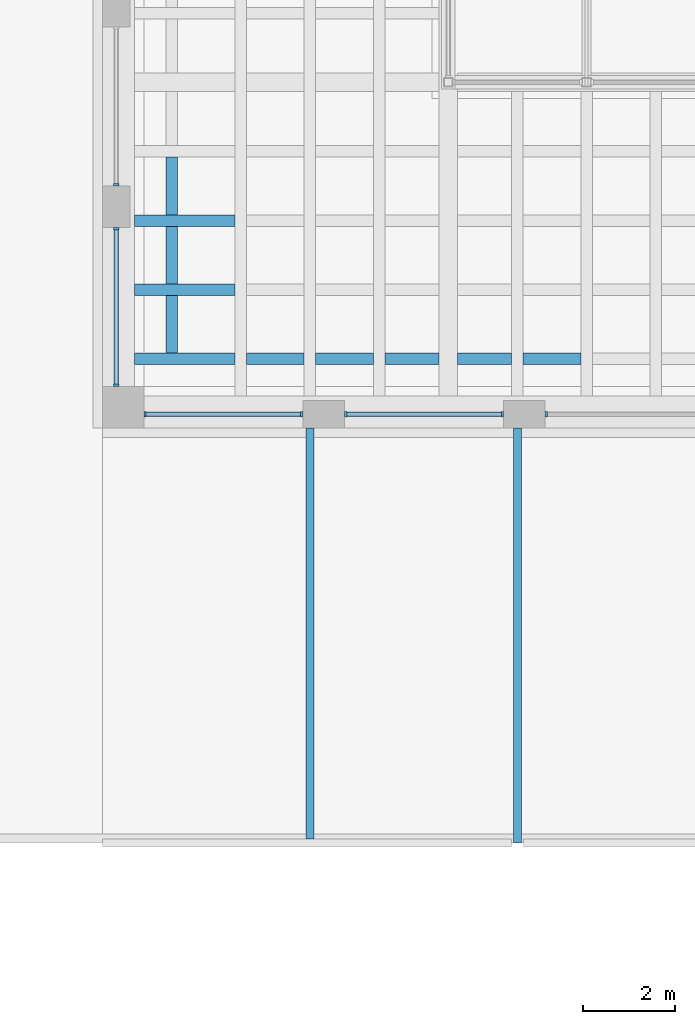
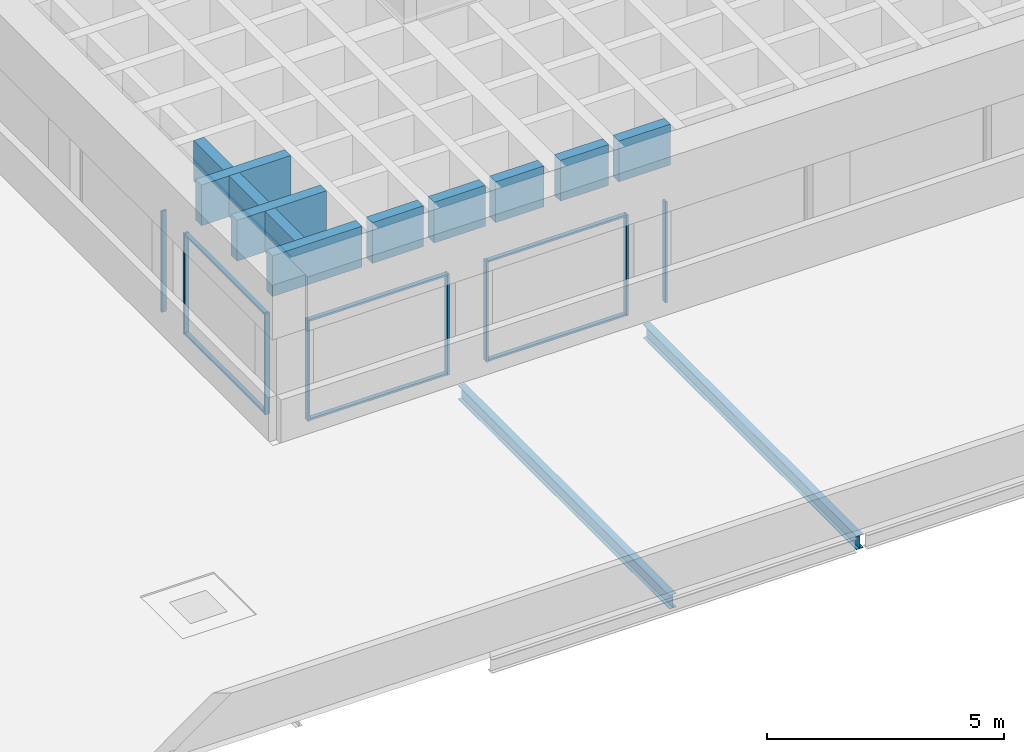
# One storey, part 12 of 50: 14 members, 13 beams, 5 elements without a shape of their own.
"""IFC4 building model written with IfcOpenShell, lengths in metres."""

import ifcopenshell
import ifcopenshell.guid

model = None  # the IFC model being written
_history = None  # IfcOwnerHistory: only IFC2X3 demands one
_inside = {}  # id of a spatial element -> (the spatial element, [elements in it])
_under = {}  # id of a project, library or spatial element -> (it, [spatial elements below it])
_declared = {}  # id of a project -> (the project, [libraries it declares])
_typed = {}  # id of a type object -> (the type object, [elements of that type])
_made_of = {}  # id of a material, layer set ... -> (it, [elements and type objects made of it])


def new_model(schema):
    """Start an empty IFC model of exactly this schema.

    Asked for "IFC4X3", IfcOpenShell would pick the latest addendum, in which some entities
    have other attributes; the version numbers below select the first issue.
    IFC2X3 requires an IfcOwnerHistory on every rooted entity: one is made here for all.
    """
    global model, _history
    if schema == "IFC4X3":
        model = ifcopenshell.file(schema_version=(4, 3, 0, 0))
    else:
        model = ifcopenshell.file(schema=schema)
    _inside.clear()
    _under.clear()
    _declared.clear()
    _typed.clear()
    _made_of.clear()
    _history = None
    if model.schema == "IFC2X3":
        org = make("IfcOrganization", Name="unknown")
        user = make(
            "IfcPersonAndOrganization",
            ThePerson=make("IfcPerson", FamilyName="unknown"),
            TheOrganization=org,
        )
        app = make(
            "IfcApplication",
            ApplicationDeveloper=org,
            Version="unknown",
            ApplicationFullName="unknown",
            ApplicationIdentifier="unknown",
        )
        _history = make(
            "IfcOwnerHistory",
            OwningUser=user,
            OwningApplication=app,
            ChangeAction="ADDED",
            CreationDate=0,
        )
    return model


def make(cls, **values):
    """One entity of the class cls with the attributes given. An attribute that is None is left unset."""
    return model.create_entity(
        cls, **{name: value for name, value in values.items() if value is not None}
    )


def rooted(cls, **values):
    """An entity with a GlobalId (a new one), such as an element, a storey or a relation."""
    return make(cls, GlobalId=ifcopenshell.guid.new(), OwnerHistory=_history, **values)


def si_unit(unit_type, name, prefix=None):
    """IfcSIUnit, for example si_unit("LENGTHUNIT", "METRE", prefix="MILLI")."""
    return make("IfcSIUnit", UnitType=unit_type, Prefix=prefix, Name=name)


def assignment(units):
    """IfcUnitAssignment: the units of a project."""
    return None if units is None else make("IfcUnitAssignment", Units=units)


def point(xyz):
    """IfcCartesianPoint."""
    return None if xyz is None else make("IfcCartesianPoint", Coordinates=xyz)


def direction(xyz):
    """IfcDirection."""
    return None if xyz is None else make("IfcDirection", DirectionRatios=xyz)


def frame(location, z_axis=None, x_axis=None):
    """IfcAxis2Placement3D, a coordinate frame: its origin and axes. An axis left out is left unset."""
    return make(
        "IfcAxis2Placement3D",
        Location=point(location),
        Axis=direction(z_axis),
        RefDirection=direction(x_axis),
    )


def frame_2d(location, x_axis=None):
    """IfcAxis2Placement2D, a coordinate frame in the plane: its origin and x axis."""
    return make(
        "IfcAxis2Placement2D", Location=point(location), RefDirection=direction(x_axis)
    )


def origin():
    """The frame at (0, 0, 0) with its axes left unset."""
    return frame((0.0, 0.0, 0.0))


def origin_2d():
    """The frame at (0, 0) in the plane with its x axis left unset."""
    return frame_2d((0.0, 0.0))


def place(relative_to, where):
    """IfcLocalPlacement: puts the frame where relative to a parent placement (None: the world)."""
    return make(
        "IfcLocalPlacement", PlacementRelTo=relative_to, RelativePlacement=where
    )


def context(
    kind, dimensions, precision=None, world=None, true_north=None, identifier=None
):
    """IfcGeometricRepresentationContext, for example the 3D "Model" context."""
    return make(
        "IfcGeometricRepresentationContext",
        ContextIdentifier=identifier,
        ContextType=kind,
        CoordinateSpaceDimension=dimensions,
        Precision=precision,
        WorldCoordinateSystem=world,
        TrueNorth=true_north,
    )


def subcontext(parent, identifier, kind, view, scale=None):
    """IfcGeometricRepresentationSubContext, for example "Body" below "Model"."""
    return make(
        "IfcGeometricRepresentationSubContext",
        ContextIdentifier=identifier,
        ContextType=kind,
        ParentContext=parent,
        TargetScale=scale,
        TargetView=view,
    )


def project(units=None, contexts=None):
    """IfcProject with its units and contexts."""
    return rooted(
        "IfcProject",
        Name="project",
        RepresentationContexts=contexts,
        UnitsInContext=assignment(units),
    )


def spatial(cls, under=None, at=None, **own):
    """A site, building, storey or space (cls), placed at a placement, below another one or the project."""
    s = rooted(cls, ObjectPlacement=at, **own)
    if under is not None:
        _under.setdefault(under.id(), (under, []))[1].append(s)
    return s


def profile(cls, at=None, kind="AREA", **sizes):
    """A parametric profile (cls). Its sizes go by their IFC names, for example OverallWidth=200.0."""
    return make(cls, ProfileType=kind, Position=at, **sizes)


def rectangle(**sizes):
    """IfcRectangleProfileDef."""
    return profile("IfcRectangleProfileDef", **sizes)


def i_section(**sizes):
    """IfcIShapeProfileDef."""
    return profile("IfcIShapeProfileDef", **sizes)


def extrude(swept, where, along, depth):
    """IfcExtrudedAreaSolid: the profile swept, set in the frame where, extruded along a direction by depth."""
    return make(
        "IfcExtrudedAreaSolid",
        SweptArea=swept,
        Position=where,
        ExtrudedDirection=direction(along),
        Depth=depth,
    )


def shape(context_of_items, identifier, shape_type, items):
    """IfcShapeRepresentation: the items that make up one representation, for example the "Body"."""
    return make(
        "IfcShapeRepresentation",
        ContextOfItems=context_of_items,
        RepresentationIdentifier=identifier,
        RepresentationType=shape_type,
        Items=items,
    )


def material(Name=None, Category=None):
    """IfcMaterial."""
    return make("IfcMaterial", Name=Name, Category=Category)


def layer(
    of_material, thickness, ventilated=None, Name=None, Category=None, Priority=None
):
    """IfcMaterialLayer: one layer of a wall or slab, of a material (None: an air gap)."""
    return make(
        "IfcMaterialLayer",
        Material=of_material,
        LayerThickness=thickness,
        IsVentilated=ventilated,
        Name=Name,
        Category=Category,
        Priority=Priority,
    )


def layer_set(layers, Name=None):
    """IfcMaterialLayerSet."""
    return make("IfcMaterialLayerSet", MaterialLayers=layers, LayerSetName=Name)


def material_profile(
    of_material, cross_section, Name=None, Category=None, Priority=None
):
    """IfcMaterialProfile: a cross section and its material."""
    return make(
        "IfcMaterialProfile",
        Name=Name,
        Material=of_material,
        Profile=cross_section,
        Priority=Priority,
        Category=Category,
    )


def profile_set(profiles, Name=None, composite=None):
    """IfcMaterialProfileSet."""
    return make(
        "IfcMaterialProfileSet",
        Name=Name,
        MaterialProfiles=profiles,
        CompositeProfile=composite,
    )


def made_of(thing, what):
    """Note that an element or type object is made of a material, layer set ...; save() writes the relation."""
    if what is not None:
        _made_of.setdefault(what.id(), (what, []))[1].append(thing)
    return thing


def type_object(cls, material=None, **own):
    """A type object (cls), such as IfcWallType, which elements share."""
    return made_of(rooted(cls, **own), material)


def element(
    cls,
    number,
    at=None,
    inside=None,
    cuts=None,
    type_object=None,
    material=None,
    context=None,
    identifier="Body",
    shape_type=None,
    held_by="IfcProductDefinitionShape",
    body=None,
    shapes=None,
    **own,
):
    """One element of the class cls, such as IfcWall. Its Tag is "e" and its number.

    at: its placement. inside: the storey or other place that contains it. cuts: it is an
    opening in that element (IfcRelVoidsElement). A single representation is given by context,
    identifier, shape_type and body (its items); several are given by shapes. held_by: the class
    of the entity that holds the representations. save() writes the other relations.
    """
    e = rooted(cls, Tag="e%d" % number, ObjectPlacement=at, **own)
    if body is not None:
        shapes = [shape(context, identifier, shape_type, body)]
    if shapes is not None:
        e.Representation = make(held_by, Representations=shapes)
    if inside is not None:
        _inside.setdefault(inside.id(), (inside, []))[1].append(e)
    if cuts is not None:
        rooted(
            "IfcRelVoidsElement", RelatingBuildingElement=cuts, RelatedOpeningElement=e
        )
    if type_object is not None:
        _typed.setdefault(type_object.id(), (type_object, []))[1].append(e)
    return made_of(e, material)


def aggregate(whole, parts):
    """IfcRelAggregates: a whole, such as a stair, and the parts it consists of."""
    return rooted("IfcRelAggregates", RelatingObject=whole, RelatedObjects=parts)


def save(model, path):
    """Write the relations noted so far, then the file.

    IfcRelAggregates (storeys below a building ...), IfcRelContainedInSpatialStructure (elements
    in a storey), IfcRelDefinesByType, IfcRelAssociatesMaterial and IfcRelDeclares: one each for
    every whole, place, type object, material and project.
    """
    for whole, parts in _under.values():
        aggregate(whole, parts)
    for where, things in _inside.values():
        rooted(
            "IfcRelContainedInSpatialStructure",
            RelatedElements=things,
            RelatingStructure=where,
        )
    for kind, things in _typed.values():
        rooted("IfcRelDefinesByType", RelatedObjects=things, RelatingType=kind)
    for what, things in _made_of.values():
        rooted("IfcRelAssociatesMaterial", RelatedObjects=things, RelatingMaterial=what)
    for by, libraries in _declared.values():
        rooted("IfcRelDeclares", RelatingContext=by, RelatedDefinitions=libraries)
    model.write(path)


model = new_model("IFC4")

# Units and contexts
model_context = context("Model", 3, precision=1e-05, world=origin(), true_north=direction((0.0, 1.0)))
body_context = subcontext(model_context, "Body", "Model", "MODEL_VIEW")
ifc_project = project(units=[si_unit("LENGTHUNIT", "METRE"), si_unit("AREAUNIT", "SQUARE_METRE"), si_unit("VOLUMEUNIT", "CUBIC_METRE"), si_unit("PLANEANGLEUNIT", "RADIAN"), si_unit("MASSUNIT", "GRAM", prefix="KILO")], contexts=[model_context])

# Site, building, storey
site_placement = place(None, origin())
site = spatial("IfcSite", under=ifc_project, at=site_placement, CompositionType="ELEMENT")
building_placement = place(site_placement, origin())
building = spatial("IfcBuilding", under=site, at=building_placement, Name="Corbel Yard City Hall", CompositionType="ELEMENT")
storey_placement = place(building_placement, frame((0.0, 0.0, 15.0)))
storey = spatial("IfcBuildingStorey", under=building, at=storey_placement, Name="L03", CompositionType="ELEMENT", Elevation=15.0)

# Beams
ifc_material_1 = material(Name="Steel Grade 300 (300 MPa yield)", Category="steel")
ifc_material_profile_1 = material_profile(ifc_material_1, i_section(OverallWidth=0.1708984375, OverallDepth=0.35205078125, WebThickness=0.0068359375, FlangeThickness=0.009765625, at=origin_2d()), Name="360UB44.7")
ifc_profile_set_1 = profile_set([ifc_material_profile_1], Name="Steel Grade 300 (300 MPa yield)")
beam_type_1 = type_object("IfcBeamType", Name="Beam 360UB44.7", PredefinedType="BEAM", material=ifc_profile_set_1)
beam_1_placement = place(storey_placement, frame((126.0, 45.00439453125, -0.325927734375), z_axis=(0.0, 1.0, 0.0), x_axis=(-1.0, 0.0, 0.0)))
element("IfcBeam", 1, at=beam_1_placement, inside=storey, type_object=beam_type_1, Name="Beam 360UB44.7 SB13 L03roof", PredefinedType="BEAM", context=body_context, shape_type="SweptSolid", body=[
    extrude(i_section(OverallWidth=0.1708984375, OverallDepth=0.35205078125, WebThickness=0.0068359375, FlangeThickness=0.009765625, at=origin_2d()), origin(), (0.0, 0.0, 1.0), 8.99560546875),
])
ifc_material_2 = material(Name="Concrete N50 (50 MPa)", Category="concrete")
ifc_material_profile_2 = material_profile(ifc_material_2, rectangle(XDim=0.25, YDim=1.050048828125, at=origin_2d()), Name="250x1050")
ifc_profile_set_2 = profile_set([ifc_material_profile_2], Name="Concrete N50 (50 MPa)")
beam_type_2 = type_object("IfcBeamType", Name="Coffer cross rib RC 250X1050", PredefinedType="T_BEAM", material=ifc_profile_set_2)
for number, where, z_axis, x_axis, name in (
    (2, (118.5, 55.625, 3.125), (0.0, 1.0, 0.0), (-1.0, 0.0, 0.0), "Coffer cross rib RB3"),
    (3, (118.5, 57.125, 3.125), (0.0, 1.0, 0.0), (-1.0, 0.0, 0.0), "Coffer cross rib RB3"),
    (4, (118.5, 58.625, 3.125), (0.0, 1.0, 0.0), (-1.0, 0.0, 0.0), "Coffer cross rib RB3"),
):
    element("IfcBeam", number, at=place(storey_placement, frame(where, z_axis=z_axis, x_axis=x_axis)), inside=storey, type_object=beam_type_2, Name=name, PredefinedType="T_BEAM", context=body_context, shape_type="SweptSolid", body=[
        extrude(rectangle(XDim=0.25, YDim=1.050048828125, at=origin_2d()), origin(), (0.0, 0.0, 1.0), 1.25),
    ])
beam_2_placement = place(storey_placement, frame((117.699951171875, 55.5, 3.125), z_axis=(1.0, 0.0, 0.0), x_axis=(0.0, 1.0, 0.0)))
element("IfcBeam", 5, at=beam_2_placement, inside=storey, type_object=beam_type_2, Name="Coffer cross rib RB3", PredefinedType="T_BEAM", context=body_context, shape_type="SweptSolid", body=[
    extrude(rectangle(XDim=0.25, YDim=1.050048828125, at=origin_2d()), origin(), (0.0, 0.0, 1.0), 2.175048828125),
])
for number, where, z_axis, x_axis, name in (
    (6, (120.125, 55.5, 3.125), (1.0, 0.0, 0.0), (0.0, 1.0, 0.0), "Coffer cross rib RB3"),
    (7, (121.625, 55.5, 3.125), (1.0, 0.0, 0.0), (0.0, 1.0, 0.0), "Coffer cross rib RB3"),
):
    element("IfcBeam", number, at=place(storey_placement, frame(where, z_axis=z_axis, x_axis=x_axis)), inside=storey, type_object=beam_type_2, Name=name, PredefinedType="T_BEAM", context=body_context, shape_type="SweptSolid", body=[
        extrude(rectangle(XDim=0.25, YDim=1.050048828125, at=origin_2d()), origin(), (0.0, 0.0, 1.0), 1.25),
    ])
for number, where, z_axis, x_axis, name in (
    (8, (123.125, 55.5, 3.125), (1.0, 0.0, 0.0), (0.0, 1.0, 0.0), "Coffer cross rib RB3"),
    (9, (124.699951171875, 55.5, 3.125), (1.0, 0.0, 0.0), (0.0, 1.0, 0.0), "Coffer cross rib RB3"),
):
    element("IfcBeam", number, at=place(storey_placement, frame(where, z_axis=z_axis, x_axis=x_axis)), inside=storey, type_object=beam_type_2, Name=name, PredefinedType="T_BEAM", context=body_context, shape_type="SweptSolid", body=[
        extrude(rectangle(XDim=0.25, YDim=1.050048828125, at=origin_2d()), origin(), (0.0, 0.0, 1.0), 1.175048828125),
    ])
beam_3_placement = place(storey_placement, frame((126.125, 55.5, 3.125), z_axis=(1.0, 0.0, 0.0), x_axis=(0.0, 1.0, 0.0)))
element("IfcBeam", 10, at=beam_3_placement, inside=storey, type_object=beam_type_2, Name="Coffer cross rib RB3", PredefinedType="T_BEAM", context=body_context, shape_type="SweptSolid", body=[
    extrude(rectangle(XDim=0.25, YDim=1.050048828125, at=origin_2d()), origin(), (0.0, 0.0, 1.0), 1.25),
])
for number, where, z_axis, x_axis, name in (
    (11, (117.699951171875, 57.0, 3.125), (1.0, 0.0, 0.0), (0.0, 1.0, 0.0), "Coffer cross rib RB3"),
    (12, (117.699951171875, 58.5, 3.125), (1.0, 0.0, 0.0), (0.0, 1.0, 0.0), "Coffer cross rib RB3"),
):
    element("IfcBeam", number, at=place(storey_placement, frame(where, z_axis=z_axis, x_axis=x_axis)), inside=storey, type_object=beam_type_2, Name=name, PredefinedType="T_BEAM", context=body_context, shape_type="SweptSolid", body=[
        extrude(rectangle(XDim=0.25, YDim=1.050048828125, at=origin_2d()), origin(), (0.0, 0.0, 1.0), 2.175048828125),
    ])

# Curtain wall, members
ifc_material_3 = material(Name="Aluminium extrusion", Category="aluminium")
ifc_layer = layer(ifc_material_3, 0.1201171875)
ifc_layer_set = layer_set([ifc_layer], Name="Aluminium extrusion")
curtain_wall_type = type_object("IfcCurtainWallType", Name="CW3", PredefinedType="USERDEFINED", material=ifc_layer_set)
curtain_wall_1_placement = place(storey_placement, origin())
curtain_wall_1 = element("IfcCurtainWall", 13, at=curtain_wall_1_placement, inside=storey, type_object=curtain_wall_type, Name="Chamber clerestory glazing", ObjectType="CURTAIN WALL", PredefinedType="USERDEFINED")
ifc_material_profile_3 = material_profile(ifc_material_3, rectangle(XDim=0.1201171875, YDim=0.050048828125, at=origin_2d()), Name="120x50")
ifc_profile_set_3 = profile_set([ifc_material_profile_3], Name="Aluminium extrusion")
member_type_1 = type_object("IfcMemberType", Name="ML3", PredefinedType="MULLION", material=ifc_profile_set_3)
member_1_placement = place(storey_placement, frame((117.925048828125, 54.300048828125, 0.0), z_axis=(0.0, 0.0, 1.0), x_axis=(0.0, 1.0, 0.0)))
member_1 = element("IfcMember", 14, at=member_1_placement, type_object=member_type_1, Name="CW3 mullion 1", PredefinedType="MULLION", context=body_context, shape_type="SweptSolid", body=[
    extrude(rectangle(XDim=0.1201171875, YDim=0.050048828125, at=origin_2d()), origin(), (0.0, 0.0, 1.0), 2.60009765625),
])
member_2_placement = place(storey_placement, frame((121.324951171875, 54.300048828125, 0.0), z_axis=(0.0, 0.0, 1.0), x_axis=(0.0, 1.0, 0.0)))
member_2 = element("IfcMember", 15, at=member_2_placement, type_object=member_type_1, Name="CW3 mullion 2", PredefinedType="MULLION", context=body_context, shape_type="SweptSolid", body=[
    extrude(rectangle(XDim=0.1201171875, YDim=0.050048828125, at=origin_2d()), origin(), (0.0, 0.0, 1.0), 2.60009765625),
])

curtain_wall_2_placement = place(storey_placement, origin())
curtain_wall_2 = element("IfcCurtainWall", 16, at=curtain_wall_2_placement, inside=storey, type_object=curtain_wall_type, Name="Chamber clerestory glazing", ObjectType="CURTAIN WALL", PredefinedType="USERDEFINED")
member_3_placement = place(storey_placement, frame((122.27490234375, 54.300048828125, 0.0), z_axis=(0.0, 0.0, 1.0), x_axis=(0.0, 1.0, 0.0)))
member_3 = element("IfcMember", 17, at=member_3_placement, type_object=member_type_1, Name="CW3 mullion 1", PredefinedType="MULLION", context=body_context, shape_type="SweptSolid", body=[
    extrude(rectangle(XDim=0.1201171875, YDim=0.050048828125, at=origin_2d()), origin(), (0.0, 0.0, 1.0), 2.60009765625),
])
member_4_placement = place(storey_placement, frame((125.675048828125, 54.300048828125, 0.0), z_axis=(0.0, 0.0, 1.0), x_axis=(0.0, 1.0, 0.0)))
member_4 = element("IfcMember", 18, at=member_4_placement, type_object=member_type_1, Name="CW3 mullion 2", PredefinedType="MULLION", context=body_context, shape_type="SweptSolid", body=[
    extrude(rectangle(XDim=0.1201171875, YDim=0.050048828125, at=origin_2d()), origin(), (0.0, 0.0, 1.0), 2.60009765625),
])

# Curtain wall, member
curtain_wall_3_placement = place(storey_placement, origin())
curtain_wall_3 = element("IfcCurtainWall", 19, at=curtain_wall_3_placement, inside=storey, type_object=curtain_wall_type, Name="Chamber clerestory glazing", ObjectType="CURTAIN WALL", PredefinedType="USERDEFINED")
member_5_placement = place(storey_placement, frame((126.625, 54.300048828125, 0.0), z_axis=(0.0, 0.0, 1.0), x_axis=(0.0, 1.0, 0.0)))
member_5 = element("IfcMember", 20, at=member_5_placement, type_object=member_type_1, Name="CW3 mullion 1", PredefinedType="MULLION", context=body_context, shape_type="SweptSolid", body=[
    extrude(rectangle(XDim=0.1201171875, YDim=0.050048828125, at=origin_2d()), origin(), (0.0, 0.0, 1.0), 2.60009765625),
])
aggregate(curtain_wall_3, [member_5])

# Curtain wall, members
curtain_wall_4_placement = place(storey_placement, origin())
curtain_wall_4 = element("IfcCurtainWall", 21, at=curtain_wall_4_placement, inside=storey, type_object=curtain_wall_type, Name="Chamber clerestory glazing", ObjectType="CURTAIN WALL", PredefinedType="USERDEFINED")
member_6_placement = place(storey_placement, frame((117.300048828125, 54.925048828125, 0.0), z_axis=(0.0, 0.0, 1.0), x_axis=(-1.0, 0.0, 0.0)))
member_6 = element("IfcMember", 22, at=member_6_placement, type_object=member_type_1, Name="CW3 mullion 1", PredefinedType="MULLION", context=body_context, shape_type="SweptSolid", body=[
    extrude(rectangle(XDim=0.1201171875, YDim=0.050048828125, at=origin_2d()), origin(), (0.0, 0.0, 1.0), 2.60009765625),
])
member_7_placement = place(storey_placement, frame((117.300048828125, 58.324951171875, 0.0), z_axis=(0.0, 0.0, 1.0), x_axis=(-1.0, 0.0, 0.0)))
member_7 = element("IfcMember", 23, at=member_7_placement, type_object=member_type_1, Name="CW3 mullion 2", PredefinedType="MULLION", context=body_context, shape_type="SweptSolid", body=[
    extrude(rectangle(XDim=0.1201171875, YDim=0.050048828125, at=origin_2d()), origin(), (0.0, 0.0, 1.0), 2.60009765625),
])

# Curtain wall, member
curtain_wall_5_placement = place(storey_placement, origin())
curtain_wall_5 = element("IfcCurtainWall", 24, at=curtain_wall_5_placement, inside=storey, type_object=curtain_wall_type, Name="Chamber clerestory glazing", ObjectType="CURTAIN WALL", PredefinedType="USERDEFINED")
member_8_placement = place(storey_placement, frame((117.300048828125, 59.27490234375, 0.0), z_axis=(0.0, 0.0, 1.0), x_axis=(-1.0, 0.0, 0.0)))
member_8 = element("IfcMember", 25, at=member_8_placement, type_object=member_type_1, Name="CW3 mullion 1", PredefinedType="MULLION", context=body_context, shape_type="SweptSolid", body=[
    extrude(rectangle(XDim=0.1201171875, YDim=0.050048828125, at=origin_2d()), origin(), (0.0, 0.0, 1.0), 2.60009765625),
])
aggregate(curtain_wall_5, [member_8])

# Beam
ifc_material_profile_4 = material_profile(ifc_material_1, i_section(OverallWidth=0.1708984375, OverallDepth=0.35205078125, WebThickness=0.0068359375, FlangeThickness=0.009765625, at=origin_2d()), Name="360UB44.7")
ifc_profile_set_4 = profile_set([ifc_material_profile_4], Name="Steel Grade 300 (300 MPa yield)")
beam_type_3 = type_object("IfcBeamType", Name="Secondary beam 360UB44.7", PredefinedType="JOIST", material=ifc_profile_set_4)
beam_4_placement = place(storey_placement, frame((121.5, 45.0859375, -0.325927734375), z_axis=(0.0, 1.0, 0.0), x_axis=(-1.0, 0.0, 0.0)))
element("IfcBeam", 26, at=beam_4_placement, inside=storey, type_object=beam_type_3, Name="Secondary beam 360UB44.7 SB11 L03roof", PredefinedType="JOIST", context=body_context, shape_type="SweptSolid", body=[
    extrude(i_section(OverallWidth=0.1708984375, OverallDepth=0.35205078125, WebThickness=0.0068359375, FlangeThickness=0.009765625, at=origin_2d()), origin(), (0.0, 0.0, 1.0), 8.9140625),
])

# Member
ifc_material_profile_5 = material_profile(ifc_material_3, rectangle(XDim=0.10009765625, YDim=0.050048828125, at=origin_2d()), Name="100x50")
ifc_profile_set_5 = profile_set([ifc_material_profile_5], Name="Aluminium extrusion")
member_type_2 = type_object("IfcMemberType", Name="TR3", PredefinedType="USERDEFINED", material=ifc_profile_set_5)
member_9_placement = place(storey_placement, frame((117.949951171875, 54.300048828125, 0.02490234375), z_axis=(1.0, 0.0, 0.0), x_axis=(0.0, 1.0, 0.0)))
member_9 = element("IfcMember", 27, at=member_9_placement, type_object=member_type_2, Name="CW3 transom 1.1", ObjectType="TRANSOM", PredefinedType="USERDEFINED", context=body_context, shape_type="SweptSolid", body=[
    extrude(rectangle(XDim=0.10009765625, YDim=0.050048828125, at=origin_2d()), origin(), (0.0, 0.0, 1.0), 3.35009765625),
])

member_10_placement = place(storey_placement, frame((117.949951171875, 54.300048828125, 2.574951171875), z_axis=(1.0, 0.0, 0.0), x_axis=(0.0, 1.0, 0.0)))
member_10 = element("IfcMember", 28, at=member_10_placement, type_object=member_type_2, Name="CW3 transom 1.2", ObjectType="TRANSOM", PredefinedType="USERDEFINED", context=body_context, shape_type="SweptSolid", body=[
    extrude(rectangle(XDim=0.10009765625, YDim=0.050048828125, at=origin_2d()), origin(), (0.0, 0.0, 1.0), 3.35009765625),
])

aggregate(curtain_wall_1, [member_1, member_2, member_9, member_10])

member_11_placement = place(storey_placement, frame((122.300048828125, 54.300048828125, 0.02490234375), z_axis=(1.0, 0.0, 0.0), x_axis=(0.0, 1.0, 0.0)))
member_11 = element("IfcMember", 29, at=member_11_placement, type_object=member_type_2, Name="CW3 transom 1.1", ObjectType="TRANSOM", PredefinedType="USERDEFINED", context=body_context, shape_type="SweptSolid", body=[
    extrude(rectangle(XDim=0.10009765625, YDim=0.050048828125, at=origin_2d()), origin(), (0.0, 0.0, 1.0), 3.349853515625),
])

member_12_placement = place(storey_placement, frame((122.300048828125, 54.300048828125, 2.574951171875), z_axis=(1.0, 0.0, 0.0), x_axis=(0.0, 1.0, 0.0)))
member_12 = element("IfcMember", 30, at=member_12_placement, type_object=member_type_2, Name="CW3 transom 1.2", ObjectType="TRANSOM", PredefinedType="USERDEFINED", context=body_context, shape_type="SweptSolid", body=[
    extrude(rectangle(XDim=0.10009765625, YDim=0.050048828125, at=origin_2d()), origin(), (0.0, 0.0, 1.0), 3.349853515625),
])

aggregate(curtain_wall_2, [member_3, member_4, member_11, member_12])

member_13_placement = place(storey_placement, frame((117.300048828125, 54.949951171875, 0.02490234375), z_axis=(0.0, 1.0, 0.0), x_axis=(-1.0, 0.0, 0.0)))
member_13 = element("IfcMember", 31, at=member_13_placement, type_object=member_type_2, Name="CW3 transom 1.1", ObjectType="TRANSOM", PredefinedType="USERDEFINED", context=body_context, shape_type="SweptSolid", body=[
    extrude(rectangle(XDim=0.10009765625, YDim=0.050048828125, at=origin_2d()), origin(), (0.0, 0.0, 1.0), 3.35009765625),
])

member_14_placement = place(storey_placement, frame((117.300048828125, 54.949951171875, 2.574951171875), z_axis=(0.0, 1.0, 0.0), x_axis=(-1.0, 0.0, 0.0)))
member_14 = element("IfcMember", 32, at=member_14_placement, type_object=member_type_2, Name="CW3 transom 1.2", ObjectType="TRANSOM", PredefinedType="USERDEFINED", context=body_context, shape_type="SweptSolid", body=[
    extrude(rectangle(XDim=0.10009765625, YDim=0.050048828125, at=origin_2d()), origin(), (0.0, 0.0, 1.0), 3.35009765625),
])

aggregate(curtain_wall_4, [member_6, member_7, member_13, member_14])

save(model, "model.ifc")
